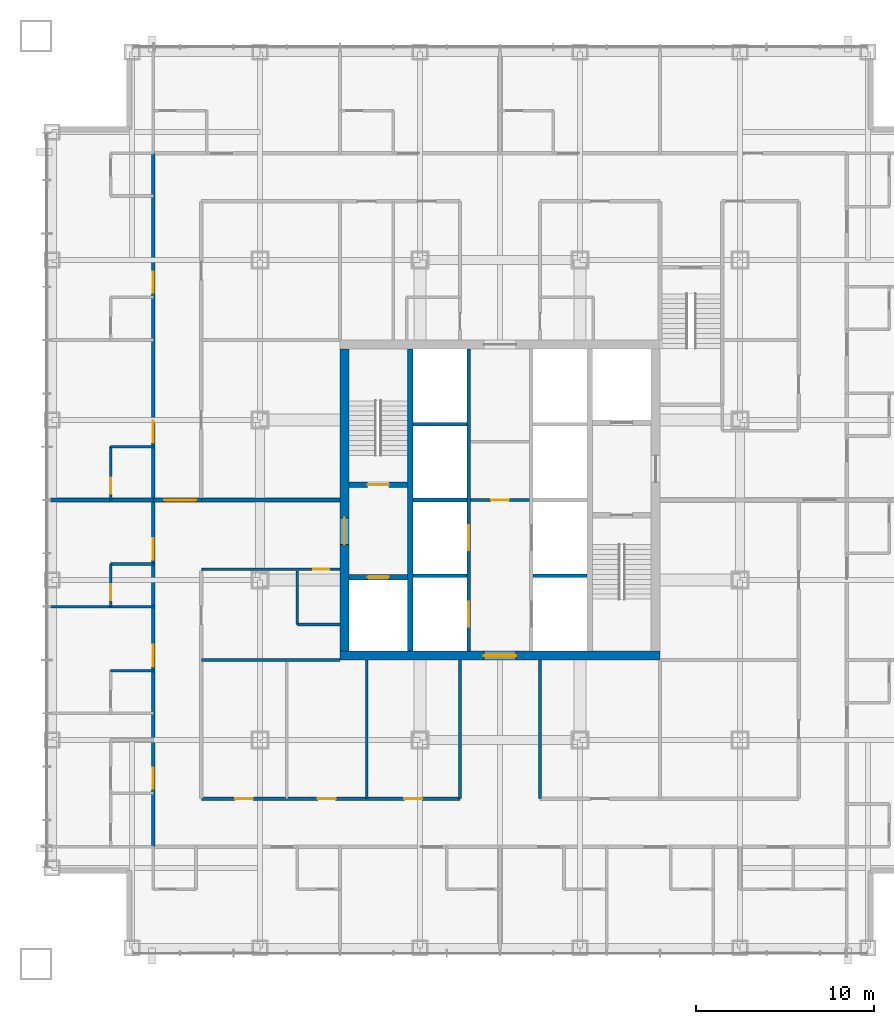
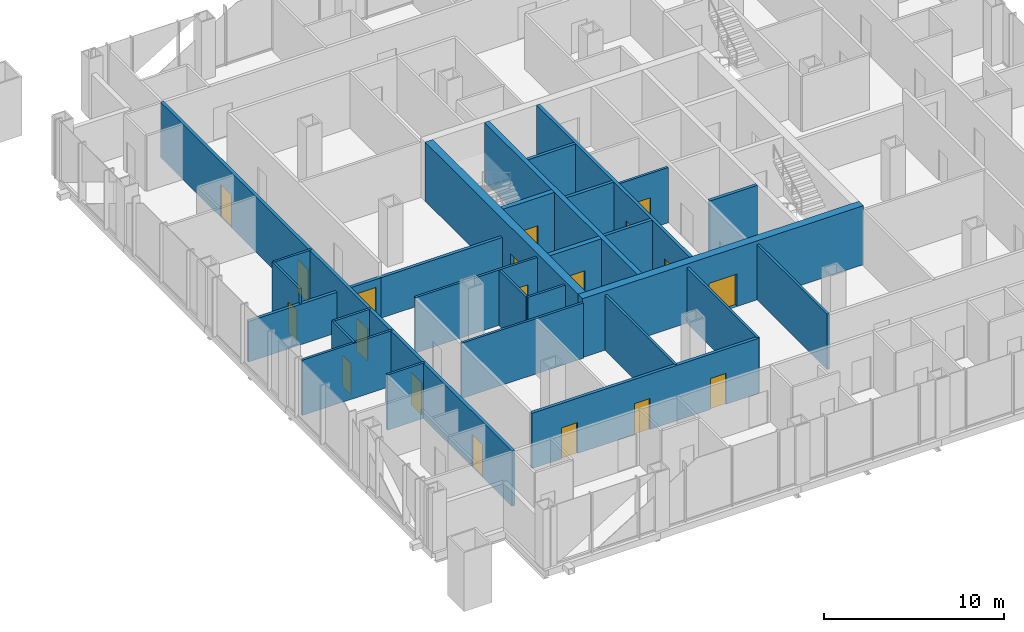
# One storey, part 8 of 13: 29 walls, 19 doors, 19 openings.
"""IFC4 building model written with IfcOpenShell, lengths in metres."""

from ifc_helpers import new_model, si_unit, direction, frame, frame_2d, origin, place, context, subcontext, project, spatial, rectangle, extrude, material, layer, layer_set, type_object, element, fill, save


model = new_model("IFC4")

# Units and contexts
model_context = context("Model", 3, precision=1e-05, world=origin(), true_north=direction((0.0, 1.0)))
body_context = subcontext(model_context, "Body", "Model", "MODEL_VIEW")
ifc_project = project(units=[si_unit("LENGTHUNIT", "METRE"), si_unit("AREAUNIT", "SQUARE_METRE"), si_unit("VOLUMEUNIT", "CUBIC_METRE"), si_unit("PLANEANGLEUNIT", "RADIAN"), si_unit("MASSUNIT", "GRAM", prefix="KILO")], contexts=[model_context])

# Site, building, storey
site_placement = place(None, origin())
site = spatial("IfcSite", under=ifc_project, at=site_placement, CompositionType="ELEMENT")
building_placement = place(site_placement, origin())
building = spatial("IfcBuilding", under=site, at=building_placement, Name="Malebo Sky Hospital", CompositionType="ELEMENT")
storey_placement = place(building_placement, frame((0.0, 0.0, 35.0)))
storey = spatial("IfcBuildingStorey", under=building, at=storey_placement, Name="L07", CompositionType="ELEMENT", Elevation=35.0)

# Wall, openings, doors
ifc_material_1 = material(Name="Concrete C80/95", Category="concrete")
ifc_layer_1 = layer(ifc_material_1, 0.199951171875)
ifc_layer_set_1 = layer_set([ifc_layer_1], Name="CORE INNER WALL 200")
wall_type_1 = type_object("IfcWallType", Name="CORE INNER WALL 200", PredefinedType="SHEAR", material=ifc_layer_set_1)
wall_1_placement = place(storey_placement, frame((58.25, 53.5, 0.0), z_axis=(0.0, 0.0, 1.0), x_axis=(0.0, 1.0, 0.0)))
wall_1 = element("IfcWall", 1, at=wall_1_placement, inside=storey, type_object=wall_type_1, Name="Core wall LW L07", PredefinedType="SHEAR", context=body_context, shape_type="SweptSolid", body=[
    extrude(rectangle(XDim=17.0, YDim=0.199951171875, at=frame_2d((8.5, 0.0))), origin(), (0.0, 0.0, 1.0), 4.0),
])
opening_1_placement = place(wall_1_placement, frame((1.375, 0.0, 0.0)))
opening_1 = element("IfcOpeningElement", 2, at=opening_1_placement, cuts=wall_1, Name="Opening LD1", PredefinedType="OPENING", context=body_context, shape_type="SweptSolid", body=[
    extrude(rectangle(XDim=1.39990234375, YDim=2.199951171875, at=frame_2d((0.699951171875, 1.10009765625))), frame((0.0, 0.10986328125, 0.0), z_axis=(0.0, -1.0, 0.0), x_axis=(1.0, 0.0, 0.0)), (0.0, 0.0, 1.0), 0.219970703125),
])
opening_2_placement = place(wall_1_placement, frame((5.675048828125, 0.0, 0.0)))
opening_2 = element("IfcOpeningElement", 3, at=opening_2_placement, cuts=wall_1, Name="Opening LD1", PredefinedType="OPENING", context=body_context, shape_type="SweptSolid", body=[
    extrude(rectangle(XDim=1.39990234375, YDim=2.199951171875, at=frame_2d((0.699951171875, 1.10009765625))), frame((0.0, 0.10986328125, 0.0), z_axis=(0.0, -1.0, 0.0), x_axis=(1.0, 0.0, 0.0)), (0.0, 0.0, 1.0), 0.219970703125),
])
ifc_material_2 = material(Name="Stainless steel sliding landing door", Category="steel")
door_type_1 = type_object("IfcDoorType", Name="LIFT LANDING DOOR 1400", OperationType="SLIDING_TO_LEFT", PredefinedType="DOOR", material=ifc_material_2)
door_1_placement = place(opening_1_placement, origin())
door_1 = element("IfcDoor", 4, at=door_1_placement, inside=storey, type_object=door_type_1, Name="Lift W1 landing door", OperationType="SLIDING_TO_LEFT", OverallHeight=2.199951171875, OverallWidth=1.39990234375, PredefinedType="DOOR", context=body_context, shape_type="SweptSolid", body=[
    extrude(rectangle(XDim=1.39990234375, YDim=2.199951171875, at=frame_2d((0.699951171875, 1.10009765625))), frame((0.0, 0.02490234375, 0.0), z_axis=(0.0, -1.0, 0.0), x_axis=(1.0, 0.0, 0.0)), (0.0, 0.0, 1.0), 0.050048828125),
])
fill(opening_1, door_1)
door_2_placement = place(opening_2_placement, origin())
door_2 = element("IfcDoor", 5, at=door_2_placement, inside=storey, type_object=door_type_1, Name="Lift W2 landing door", OperationType="SLIDING_TO_LEFT", OverallHeight=2.199951171875, OverallWidth=1.39990234375, PredefinedType="DOOR", context=body_context, shape_type="SweptSolid", body=[
    extrude(rectangle(XDim=1.39990234375, YDim=2.199951171875, at=frame_2d((0.699951171875, 1.10009765625))), frame((0.0, 0.02490234375, 0.0), z_axis=(0.0, -1.0, 0.0), x_axis=(1.0, 0.0, 0.0)), (0.0, 0.0, 1.0), 0.050048828125),
])
fill(opening_2, door_2)

# Walls
for number, where, z_axis, x_axis, name in (
    (6, (55.10009765625, 57.75, 0.0), (0.0, 0.0, 1.0), (1.0, 0.0, 0.0), "Core wall SW0 L07"),
    (7, (61.85009765625, 57.75, 0.0), (0.0, 0.0, 1.0), (1.0, 0.0, 0.0), "Core wall SE0 L07"),
    (8, (55.10009765625, 62.0, 0.0), (0.0, 0.0, 1.0), (1.0, 0.0, 0.0), "Core wall SW1 L07"),
    (9, (55.10009765625, 66.25, 0.0), (0.0, 0.0, 1.0), (1.0, 0.0, 0.0), "Core wall SW2 L07"),
):
    element("IfcWall", number, at=place(storey_placement, frame(where, z_axis=z_axis, x_axis=x_axis)), inside=storey, type_object=wall_type_1, Name=name, PredefinedType="SHEAR", context=body_context, shape_type="SweptSolid", body=[
        extrude(rectangle(XDim=3.0498046875, YDim=0.199951171875, at=frame_2d((1.52490234375, 0.0))), origin(), (0.0, 0.0, 1.0), 4.0),
    ])
ifc_layer_2 = layer(ifc_material_1, 0.300048828125)
ifc_layer_set_2 = layer_set([ifc_layer_2], Name="CORE INNER WALL 300")
wall_type_2 = type_object("IfcWallType", Name="CORE INNER WALL 300", PredefinedType="SHEAR", material=ifc_layer_set_2)
wall_2_placement = place(storey_placement, frame((54.949951171875, 53.5, 0.0), z_axis=(0.0, 0.0, 1.0), x_axis=(0.0, 1.0, 0.0)))
element("IfcWall", 10, at=wall_2_placement, inside=storey, type_object=wall_type_2, Name="Core wall XW L07", PredefinedType="SHEAR", context=body_context, shape_type="SweptSolid", body=[
    extrude(rectangle(XDim=17.0, YDim=0.300048828125, at=frame_2d((8.5, 0.0))), origin(), (0.0, 0.0, 1.0), 4.0),
])

# Wall, opening, door
wall_3_placement = place(storey_placement, frame((51.5, 62.85009765625, 0.0), z_axis=(0.0, 0.0, 1.0), x_axis=(1.0, 0.0, 0.0)))
wall_3 = element("IfcWall", 11, at=wall_3_placement, inside=storey, type_object=wall_type_2, Name="Core wall W1 L07", PredefinedType="SHEAR", context=body_context, shape_type="SweptSolid", body=[
    extrude(rectangle(XDim=3.300048828125, YDim=0.300048828125, at=frame_2d((1.64990234375, 0.0))), origin(), (0.0, 0.0, 1.0), 4.0),
])
opening_3_placement = place(wall_3_placement, frame((1.050048828125, 0.0, 0.0)))
opening_3 = element("IfcOpeningElement", 12, at=opening_3_placement, cuts=wall_3, Name="Opening D08", PredefinedType="OPENING", context=body_context, shape_type="SweptSolid", body=[
    extrude(rectangle(XDim=1.199951171875, YDim=2.10009765625, at=frame_2d((0.60009765625, 1.050048828125))), frame((0.0, 0.159912109375, 0.0), z_axis=(0.0, -1.0, 0.0), x_axis=(1.0, 0.0, 0.0)), (0.0, 0.0, 1.0), 0.320068359375),
])
ifc_material_3 = material(Name="Hardwood-faced door leaf in steel frame", Category="steel")
door_type_2 = type_object("IfcDoorType", Name="STAIR DOOR 1200", OperationType="SINGLE_SWING_LEFT", PredefinedType="DOOR", material=ifc_material_3)
door_3_placement = place(opening_3_placement, origin())
door_3 = element("IfcDoor", 13, at=door_3_placement, inside=storey, type_object=door_type_2, Name="Stair S1 door", OperationType="SINGLE_SWING_LEFT", OverallHeight=2.10009765625, OverallWidth=1.199951171875, PredefinedType="DOOR", context=body_context, shape_type="SweptSolid", body=[
    extrude(rectangle(XDim=1.199951171875, YDim=2.10009765625, at=frame_2d((0.60009765625, 1.050048828125))), frame((0.0, 0.02490234375, 0.0), z_axis=(0.0, -1.0, 0.0), x_axis=(1.0, 0.0, 0.0)), (0.0, 0.0, 1.0), 0.050048828125),
])
fill(opening_3, door_3)

wall_4_placement = place(storey_placement, frame((51.5, 57.64990234375, 0.0), z_axis=(0.0, 0.0, 1.0), x_axis=(1.0, 0.0, 0.0)))
wall_4 = element("IfcWall", 14, at=wall_4_placement, inside=storey, type_object=wall_type_2, Name="Core wall W2 L07", PredefinedType="SHEAR", context=body_context, shape_type="SweptSolid", body=[
    extrude(rectangle(XDim=3.300048828125, YDim=0.300048828125, at=frame_2d((1.64990234375, 0.0))), origin(), (0.0, 0.0, 1.0), 4.0),
])
opening_4_placement = place(wall_4_placement, frame((1.050048828125, 0.0, 0.0)))
opening_4 = element("IfcOpeningElement", 15, at=opening_4_placement, cuts=wall_4, Name="Opening LD2", PredefinedType="OPENING", context=body_context, shape_type="SweptSolid", body=[
    extrude(rectangle(XDim=1.199951171875, YDim=2.199951171875, at=frame_2d((0.60009765625, 1.10009765625))), frame((0.0, 0.159912109375, 0.0), z_axis=(0.0, -1.0, 0.0), x_axis=(1.0, 0.0, 0.0)), (0.0, 0.0, 1.0), 0.320068359375),
])
door_type_3 = type_object("IfcDoorType", Name="FIRE-FIGHTING LIFT LANDING DOOR 1200", OperationType="SLIDING_TO_LEFT", PredefinedType="DOOR", material=ifc_material_2)
door_4_placement = place(opening_4_placement, origin())
door_4 = element("IfcDoor", 16, at=door_4_placement, inside=storey, type_object=door_type_3, Name="Lift FL1 landing door", OperationType="SLIDING_TO_LEFT", OverallHeight=2.199951171875, OverallWidth=1.199951171875, PredefinedType="DOOR", context=body_context, shape_type="SweptSolid", body=[
    extrude(rectangle(XDim=1.199951171875, YDim=2.199951171875, at=frame_2d((0.60009765625, 1.10009765625))), frame((0.0, 0.02490234375, 0.0), z_axis=(0.0, -1.0, 0.0), x_axis=(1.0, 0.0, 0.0)), (0.0, 0.0, 1.0), 0.050048828125),
])
fill(opening_4, door_4)

ifc_layer_3 = layer(ifc_material_1, 0.5)
ifc_layer_set_3 = layer_set([ifc_layer_3], Name="CORE WALL 500")
wall_type_3 = type_object("IfcWallType", Name="CORE WALL 500", PredefinedType="SHEAR", material=ifc_layer_set_3)
wall_5_placement = place(storey_placement, frame((51.0, 53.25, 0.0), z_axis=(0.0, 0.0, 1.0), x_axis=(1.0, 0.0, 0.0)))
wall_5 = element("IfcWall", 17, at=wall_5_placement, inside=storey, type_object=wall_type_3, Name="Core wall S L07", PredefinedType="SHEAR", context=body_context, shape_type="SweptSolid", body=[
    extrude(rectangle(XDim=18.0, YDim=0.5, at=frame_2d((9.0, 0.0))), origin(), (0.0, 0.0, 1.0), 4.0),
])
opening_5_placement = place(wall_5_placement, frame((8.10009765625, 0.0, 0.0)))
opening_5 = element("IfcOpeningElement", 18, at=opening_5_placement, cuts=wall_5, Name="Opening D06", PredefinedType="OPENING", context=body_context, shape_type="SweptSolid", body=[
    extrude(rectangle(XDim=1.800048828125, YDim=2.199951171875, at=frame_2d((0.89990234375, 1.10009765625))), frame((0.0, 0.260009765625, 0.0), z_axis=(0.0, -1.0, 0.0), x_axis=(1.0, 0.0, 0.0)), (0.0, 0.0, 1.0), 0.52001953125),
])
door_type_4 = type_object("IfcDoorType", Name="LOBBY DOOR PAIR 1800", OperationType="DOUBLE_DOOR_SINGLE_SWING", PredefinedType="DOOR", material=ifc_material_3)
door_5_placement = place(opening_5_placement, origin())
door_5 = element("IfcDoor", 19, at=door_5_placement, inside=storey, type_object=door_type_4, Name="Lift lobby door south", OperationType="DOUBLE_DOOR_SINGLE_SWING", OverallHeight=2.199951171875, OverallWidth=1.800048828125, PredefinedType="DOOR", context=body_context, shape_type="SweptSolid", body=[
    extrude(rectangle(XDim=1.800048828125, YDim=2.199951171875, at=frame_2d((0.89990234375, 1.10009765625))), frame((0.0, 0.02490234375, 0.0), z_axis=(0.0, -1.0, 0.0), x_axis=(1.0, 0.0, 0.0)), (0.0, 0.0, 1.0), 0.050048828125),
])
fill(opening_5, door_5)

wall_6_placement = place(storey_placement, frame((51.25, 53.5, 0.0), z_axis=(0.0, 0.0, 1.0), x_axis=(0.0, 1.0, 0.0)))
wall_6 = element("IfcWall", 20, at=wall_6_placement, inside=storey, type_object=wall_type_3, Name="Core wall W L07", PredefinedType="SHEAR", context=body_context, shape_type="SweptSolid", body=[
    extrude(rectangle(XDim=17.0, YDim=0.5, at=frame_2d((8.5, 0.0))), origin(), (0.0, 0.0, 1.0), 4.0),
])
opening_6_placement = place(wall_6_placement, frame((6.0, 0.0, 0.0)))
opening_6 = element("IfcOpeningElement", 21, at=opening_6_placement, cuts=wall_6, Name="Opening D07", PredefinedType="OPENING", context=body_context, shape_type="SweptSolid", body=[
    extrude(rectangle(XDim=1.5, YDim=2.199951171875, at=frame_2d((0.75, 1.10009765625))), frame((0.0, 0.260009765625, 0.0), z_axis=(0.0, -1.0, 0.0), x_axis=(1.0, 0.0, 0.0)), (0.0, 0.0, 1.0), 0.52001953125),
])
door_type_5 = type_object("IfcDoorType", Name="FIRE-FIGHTING LOBBY DOOR PAIR 1500", OperationType="DOUBLE_DOOR_SINGLE_SWING", PredefinedType="DOOR", material=ifc_material_3)
door_6_placement = place(opening_6_placement, origin())
door_6 = element("IfcDoor", 22, at=door_6_placement, inside=storey, type_object=door_type_5, Name="Fire-fighting lobby door west", OperationType="DOUBLE_DOOR_SINGLE_SWING", OverallHeight=2.199951171875, OverallWidth=1.5, PredefinedType="DOOR", context=body_context, shape_type="SweptSolid", body=[
    extrude(rectangle(XDim=1.5, YDim=2.199951171875, at=frame_2d((0.75, 1.10009765625))), frame((0.0, 0.02490234375, 0.0), z_axis=(0.0, -1.0, 0.0), x_axis=(1.0, 0.0, 0.0)), (0.0, 0.0, 1.0), 0.050048828125),
])
fill(opening_6, door_6)

# Wall, openings, doors
ifc_material_4 = material(Name="Gypsum board on steel studs", Category="steel")
ifc_layer_4 = layer(ifc_material_4, 0.199951171875)
ifc_layer_set_4 = layer_set([ifc_layer_4], Name="CORRIDOR WALL 200")
wall_type_4 = type_object("IfcWallType", Name="CORRIDOR WALL 200", PredefinedType="PARTITIONING", material=ifc_layer_set_4)
wall_7_placement = place(storey_placement, frame((40.5, 42.5, 0.0), z_axis=(0.0, 0.0, 1.0), x_axis=(0.0, 1.0, 0.0)))
wall_7 = element("IfcWall", 23, at=wall_7_placement, inside=storey, type_object=wall_type_4, Name="Corridor Wall 200 WCO", PredefinedType="PARTITIONING", context=body_context, shape_type="SweptSolid", body=[
    extrude(rectangle(XDim=39.0, YDim=0.199951171875, at=frame_2d((19.5, 0.0))), origin(), (0.0, 0.0, 1.0), 3.75),
])
opening_7_placement = place(wall_7_placement, frame((3.25, 0.0, 0.0)))
opening_7 = element("IfcOpeningElement", 24, at=opening_7_placement, cuts=wall_7, Name="Opening D18", PredefinedType="OPENING", context=body_context, shape_type="SweptSolid", body=[
    extrude(rectangle(XDim=1.199951171875, YDim=2.199951171875, at=frame_2d((0.60009765625, 1.10009765625))), frame((0.0, 0.10986328125, 0.0), z_axis=(0.0, -1.0, 0.0), x_axis=(1.0, 0.0, 0.0)), (0.0, 0.0, 1.0), 0.219970703125),
])
opening_8_placement = place(wall_7_placement, frame((10.14990234375, 0.0, 0.0)))
opening_8 = element("IfcOpeningElement", 25, at=opening_8_placement, cuts=wall_7, Name="Opening D01", PredefinedType="OPENING", context=body_context, shape_type="SweptSolid", body=[
    extrude(rectangle(XDim=1.199951171875, YDim=2.199951171875, at=frame_2d((0.60009765625, 1.10009765625))), frame((0.0, 0.10986328125, 0.0), z_axis=(0.0, -1.0, 0.0), x_axis=(1.0, 0.0, 0.0)), (0.0, 0.0, 1.0), 0.219970703125),
])
opening_9_placement = place(wall_7_placement, frame((16.14990234375, 0.0, 0.0)))
opening_9 = element("IfcOpeningElement", 26, at=opening_9_placement, cuts=wall_7, Name="Opening D01", PredefinedType="OPENING", context=body_context, shape_type="SweptSolid", body=[
    extrude(rectangle(XDim=1.199951171875, YDim=2.199951171875, at=frame_2d((0.60009765625, 1.10009765625))), frame((0.0, 0.10986328125, 0.0), z_axis=(0.0, -1.0, 0.0), x_axis=(1.0, 0.0, 0.0)), (0.0, 0.0, 1.0), 0.219970703125),
])
opening_10_placement = place(wall_7_placement, frame((22.75, 0.0, 0.0)))
opening_10 = element("IfcOpeningElement", 27, at=opening_10_placement, cuts=wall_7, Name="Opening D01", PredefinedType="OPENING", context=body_context, shape_type="SweptSolid", body=[
    extrude(rectangle(XDim=1.199951171875, YDim=2.199951171875, at=frame_2d((0.60009765625, 1.10009765625))), frame((0.0, 0.10986328125, 0.0), z_axis=(0.0, -1.0, 0.0), x_axis=(1.0, 0.0, 0.0)), (0.0, 0.0, 1.0), 0.219970703125),
])
opening_11_placement = place(wall_7_placement, frame((31.14990234375, 0.0, 0.0)))
opening_11 = element("IfcOpeningElement", 28, at=opening_11_placement, cuts=wall_7, Name="Opening D01", PredefinedType="OPENING", context=body_context, shape_type="SweptSolid", body=[
    extrude(rectangle(XDim=1.199951171875, YDim=2.199951171875, at=frame_2d((0.60009765625, 1.10009765625))), frame((0.0, 0.10986328125, 0.0), z_axis=(0.0, -1.0, 0.0), x_axis=(1.0, 0.0, 0.0)), (0.0, 0.0, 1.0), 0.219970703125),
])
door_type_6 = type_object("IfcDoorType", Name="ANTEROOM DOOR 1200", OperationType="SINGLE_SWING_LEFT", PredefinedType="DOOR", material=ifc_material_3)
door_7_placement = place(opening_7_placement, origin())
door_7 = element("IfcDoor", 29, at=door_7_placement, inside=storey, type_object=door_type_6, Name="Anteroom door", OperationType="SINGLE_SWING_LEFT", OverallHeight=2.199951171875, OverallWidth=1.199951171875, PredefinedType="DOOR", context=body_context, shape_type="SweptSolid", body=[
    extrude(rectangle(XDim=1.199951171875, YDim=2.199951171875, at=frame_2d((0.60009765625, 1.10009765625))), frame((0.0, 0.02490234375, 0.0), z_axis=(0.0, -1.0, 0.0), x_axis=(1.0, 0.0, 0.0)), (0.0, 0.0, 1.0), 0.050048828125),
])
fill(opening_7, door_7)
door_type_7 = type_object("IfcDoorType", Name="BED DOOR 1200", OperationType="SINGLE_SWING_LEFT", PredefinedType="DOOR", material=ifc_material_3)
door_8_placement = place(opening_8_placement, origin())
door_8 = element("IfcDoor", 30, at=door_8_placement, inside=storey, type_object=door_type_7, Name="Single bed room door", OperationType="SINGLE_SWING_LEFT", OverallHeight=2.199951171875, OverallWidth=1.199951171875, PredefinedType="DOOR", context=body_context, shape_type="SweptSolid", body=[
    extrude(rectangle(XDim=1.199951171875, YDim=2.199951171875, at=frame_2d((0.60009765625, 1.10009765625))), frame((0.0, 0.02490234375, 0.0), z_axis=(0.0, -1.0, 0.0), x_axis=(1.0, 0.0, 0.0)), (0.0, 0.0, 1.0), 0.050048828125),
])
fill(opening_8, door_8)
door_9_placement = place(opening_9_placement, origin())
door_9 = element("IfcDoor", 31, at=door_9_placement, inside=storey, type_object=door_type_7, Name="Two-bed room door", OperationType="SINGLE_SWING_LEFT", OverallHeight=2.199951171875, OverallWidth=1.199951171875, PredefinedType="DOOR", context=body_context, shape_type="SweptSolid", body=[
    extrude(rectangle(XDim=1.199951171875, YDim=2.199951171875, at=frame_2d((0.60009765625, 1.10009765625))), frame((0.0, 0.02490234375, 0.0), z_axis=(0.0, -1.0, 0.0), x_axis=(1.0, 0.0, 0.0)), (0.0, 0.0, 1.0), 0.050048828125),
])
fill(opening_9, door_9)
door_10_placement = place(opening_10_placement, origin())
door_10 = element("IfcDoor", 32, at=door_10_placement, inside=storey, type_object=door_type_7, Name="Two-bed room door", OperationType="SINGLE_SWING_LEFT", OverallHeight=2.199951171875, OverallWidth=1.199951171875, PredefinedType="DOOR", context=body_context, shape_type="SweptSolid", body=[
    extrude(rectangle(XDim=1.199951171875, YDim=2.199951171875, at=frame_2d((0.60009765625, 1.10009765625))), frame((0.0, 0.02490234375, 0.0), z_axis=(0.0, -1.0, 0.0), x_axis=(1.0, 0.0, 0.0)), (0.0, 0.0, 1.0), 0.050048828125),
])
fill(opening_10, door_10)
door_11_placement = place(opening_11_placement, origin())
door_11 = element("IfcDoor", 33, at=door_11_placement, inside=storey, type_object=door_type_7, Name="Four-bed bay door", OperationType="SINGLE_SWING_LEFT", OverallHeight=2.199951171875, OverallWidth=1.199951171875, PredefinedType="DOOR", context=body_context, shape_type="SweptSolid", body=[
    extrude(rectangle(XDim=1.199951171875, YDim=2.199951171875, at=frame_2d((0.60009765625, 1.10009765625))), frame((0.0, 0.02490234375, 0.0), z_axis=(0.0, -1.0, 0.0), x_axis=(1.0, 0.0, 0.0)), (0.0, 0.0, 1.0), 0.050048828125),
])
fill(opening_11, door_11)

wall_8_placement = place(storey_placement, frame((57.75, 45.199951171875, 0.0), z_axis=(0.0, 0.0, 1.0), x_axis=(-1.0, 0.0, 0.0)))
wall_8 = element("IfcWall", 34, at=wall_8_placement, inside=storey, type_object=wall_type_4, Name="Corridor Wall 200 SCI2", PredefinedType="PARTITIONING", context=body_context, shape_type="SweptSolid", body=[
    extrude(rectangle(XDim=14.550048828125, YDim=0.199951171875, at=frame_2d((7.27490234375, 0.0))), origin(), (0.0, 0.0, 1.0), 3.75),
])
opening_12_placement = place(wall_8_placement, frame((2.125, 0.0, 0.0)))
opening_12 = element("IfcOpeningElement", 35, at=opening_12_placement, cuts=wall_8, Name="Opening D03", PredefinedType="OPENING", context=body_context, shape_type="SweptSolid", body=[
    extrude(rectangle(XDim=1.0, YDim=2.10009765625, at=frame_2d((0.5, 1.050048828125))), frame((0.0, 0.10986328125, 0.0), z_axis=(0.0, -1.0, 0.0), x_axis=(1.0, 0.0, 0.0)), (0.0, 0.0, 1.0), 0.219970703125),
])
opening_13_placement = place(wall_8_placement, frame((7.0, 0.0, 0.0)))
opening_13 = element("IfcOpeningElement", 36, at=opening_13_placement, cuts=wall_8, Name="Opening D03", PredefinedType="OPENING", context=body_context, shape_type="SweptSolid", body=[
    extrude(rectangle(XDim=1.0, YDim=2.10009765625, at=frame_2d((0.5, 1.050048828125))), frame((0.0, 0.10986328125, 0.0), z_axis=(0.0, -1.0, 0.0), x_axis=(1.0, 0.0, 0.0)), (0.0, 0.0, 1.0), 0.219970703125),
])
opening_14_placement = place(wall_8_placement, frame((11.64990234375, 0.0, 0.0)))
opening_14 = element("IfcOpeningElement", 37, at=opening_14_placement, cuts=wall_8, Name="Opening D03", PredefinedType="OPENING", context=body_context, shape_type="SweptSolid", body=[
    extrude(rectangle(XDim=1.0, YDim=2.10009765625, at=frame_2d((0.5, 1.050048828125))), frame((0.0, 0.10986328125, 0.0), z_axis=(0.0, -1.0, 0.0), x_axis=(1.0, 0.0, 0.0)), (0.0, 0.0, 1.0), 0.219970703125),
])
door_type_8 = type_object("IfcDoorType", Name="ROOM DOOR 1000", OperationType="SINGLE_SWING_LEFT", PredefinedType="DOOR", material=ifc_material_3)
door_12_placement = place(opening_12_placement, origin())
door_12 = element("IfcDoor", 38, at=door_12_placement, inside=storey, type_object=door_type_8, Name="Discharge lounge door", OperationType="SINGLE_SWING_LEFT", OverallHeight=2.10009765625, OverallWidth=1.0, PredefinedType="DOOR", context=body_context, shape_type="SweptSolid", body=[
    extrude(rectangle(XDim=1.0, YDim=2.10009765625, at=frame_2d((0.5, 1.050048828125))), frame((0.0, 0.02490234375, 0.0), z_axis=(0.0, -1.0, 0.0), x_axis=(1.0, 0.0, 0.0)), (0.0, 0.0, 1.0), 0.050048828125),
])
fill(opening_12, door_12)
door_13_placement = place(opening_13_placement, origin())
door_13 = element("IfcDoor", 39, at=door_13_placement, inside=storey, type_object=door_type_8, Name="Ward office door", OperationType="SINGLE_SWING_LEFT", OverallHeight=2.10009765625, OverallWidth=1.0, PredefinedType="DOOR", context=body_context, shape_type="SweptSolid", body=[
    extrude(rectangle(XDim=1.0, YDim=2.10009765625, at=frame_2d((0.5, 1.050048828125))), frame((0.0, 0.02490234375, 0.0), z_axis=(0.0, -1.0, 0.0), x_axis=(1.0, 0.0, 0.0)), (0.0, 0.0, 1.0), 0.050048828125),
])
fill(opening_13, door_13)
door_14_placement = place(opening_14_placement, origin())
door_14 = element("IfcDoor", 40, at=door_14_placement, inside=storey, type_object=door_type_8, Name="Dirty utility room door", OperationType="SINGLE_SWING_RIGHT", OverallHeight=2.10009765625, OverallWidth=1.0, PredefinedType="DOOR", context=body_context, shape_type="SweptSolid", body=[
    extrude(rectangle(XDim=1.0, YDim=2.10009765625, at=frame_2d((0.5, 1.050048828125))), frame((0.0, 0.02490234375, 0.0), z_axis=(0.0, -1.0, 0.0), x_axis=(1.0, 0.0, 0.0)), (0.0, 0.0, 1.0), 0.050048828125),
])
fill(opening_14, door_14)

# Walls
ifc_layer_5 = layer(ifc_material_4, 0.14990234375)
ifc_layer_set_5 = layer_set([ifc_layer_5], Name="PARTITION 150")
wall_type_5 = type_object("IfcWallType", Name="PARTITION 150", PredefinedType="PARTITIONING", material=ifc_layer_set_5)
wall_9_placement = place(storey_placement, frame((40.5, 56.0, 0.0), z_axis=(0.0, 0.0, 1.0), x_axis=(-1.0, 0.0, 0.0)))
element("IfcWall", 41, at=wall_9_placement, inside=storey, type_object=wall_type_5, Name="Partition 150 WP-6.0", PredefinedType="PARTITIONING", context=body_context, shape_type="SweptSolid", body=[
    extrude(rectangle(XDim=5.77490234375, YDim=0.14990234375, at=frame_2d((2.887451171875, 0.0))), origin(), (0.0, 0.0, 1.0), 3.75),
])
wall_10_placement = place(storey_placement, frame((40.5, 52.39990234375, 0.0), z_axis=(0.0, 0.0, 1.0), x_axis=(-1.0, 0.0, 0.0)))
element("IfcWall", 42, at=wall_10_placement, inside=storey, type_object=wall_type_5, Name="Partition 150 WE1S", PredefinedType="PARTITIONING", context=body_context, shape_type="SweptSolid", body=[
    extrude(rectangle(XDim=2.39990234375, YDim=0.14990234375, at=frame_2d((1.199951171875, 0.0))), origin(), (0.0, 0.0, 1.0), 3.75),
])

# Wall, opening, door
wall_11_placement = place(storey_placement, frame((38.10009765625, 56.0, 0.0), z_axis=(0.0, 0.0, 1.0), x_axis=(0.0, 1.0, 0.0)))
wall_11 = element("IfcWall", 43, at=wall_11_placement, inside=storey, type_object=wall_type_5, Name="Partition 150 WE2F", PredefinedType="PARTITIONING", context=body_context, shape_type="SweptSolid", body=[
    extrude(rectangle(XDim=2.39990234375, YDim=0.14990234375, at=frame_2d((1.199951171875, 0.0))), origin(), (0.0, 0.0, 1.0), 3.75),
])
opening_15_placement = place(wall_11_placement, frame((0.35009765625, 0.0, 0.0)))
opening_15 = element("IfcOpeningElement", 44, at=opening_15_placement, cuts=wall_11, Name="Opening D02", PredefinedType="OPENING", context=body_context, shape_type="SweptSolid", body=[
    extrude(rectangle(XDim=0.89990234375, YDim=2.10009765625, at=frame_2d((0.449951171875, 1.050048828125))), frame((0.0, 0.0849609375, 0.0), z_axis=(0.0, -1.0, 0.0), x_axis=(1.0, 0.0, 0.0)), (0.0, 0.0, 1.0), 0.169921875),
])
door_type_9 = type_object("IfcDoorType", Name="EN-SUITE DOOR 900", OperationType="SINGLE_SWING_LEFT", PredefinedType="DOOR", material=ifc_material_3)
door_15_placement = place(opening_15_placement, origin())
door_15 = element("IfcDoor", 45, at=door_15_placement, inside=storey, type_object=door_type_9, Name="En-suite door", OperationType="SINGLE_SWING_LEFT", OverallHeight=2.10009765625, OverallWidth=0.89990234375, PredefinedType="DOOR", context=body_context, shape_type="SweptSolid", body=[
    extrude(rectangle(XDim=0.89990234375, YDim=2.10009765625, at=frame_2d((0.449951171875, 1.050048828125))), frame((0.0, 0.02490234375, 0.0), z_axis=(0.0, -1.0, 0.0), x_axis=(1.0, 0.0, 0.0)), (0.0, 0.0, 1.0), 0.050048828125),
])
fill(opening_15, door_15)

# Wall
wall_12_placement = place(storey_placement, frame((40.5, 58.39990234375, 0.0), z_axis=(0.0, 0.0, 1.0), x_axis=(-1.0, 0.0, 0.0)))
element("IfcWall", 46, at=wall_12_placement, inside=storey, type_object=wall_type_5, Name="Partition 150 WE2S", PredefinedType="PARTITIONING", context=body_context, shape_type="SweptSolid", body=[
    extrude(rectangle(XDim=2.39990234375, YDim=0.14990234375, at=frame_2d((1.199951171875, 0.0))), origin(), (0.0, 0.0, 1.0), 3.75),
])

# Wall, opening, door
wall_13_placement = place(storey_placement, frame((38.10009765625, 62.0, 0.0), z_axis=(0.0, 0.0, 1.0), x_axis=(0.0, 1.0, 0.0)))
wall_13 = element("IfcWall", 47, at=wall_13_placement, inside=storey, type_object=wall_type_5, Name="Partition 150 WE3F", PredefinedType="PARTITIONING", context=body_context, shape_type="SweptSolid", body=[
    extrude(rectangle(XDim=3.0, YDim=0.14990234375, at=frame_2d((1.5, 0.0))), origin(), (0.0, 0.0, 1.0), 3.75),
])
opening_16_placement = place(wall_13_placement, frame((0.35009765625, 0.0, 0.0)))
opening_16 = element("IfcOpeningElement", 48, at=opening_16_placement, cuts=wall_13, Name="Opening D02", PredefinedType="OPENING", context=body_context, shape_type="SweptSolid", body=[
    extrude(rectangle(XDim=0.89990234375, YDim=2.10009765625, at=frame_2d((0.449951171875, 1.050048828125))), frame((0.0, 0.0849609375, 0.0), z_axis=(0.0, -1.0, 0.0), x_axis=(1.0, 0.0, 0.0)), (0.0, 0.0, 1.0), 0.169921875),
])
door_16_placement = place(opening_16_placement, origin())
door_16 = element("IfcDoor", 49, at=door_16_placement, inside=storey, type_object=door_type_9, Name="En-suite door", OperationType="SINGLE_SWING_LEFT", OverallHeight=2.10009765625, OverallWidth=0.89990234375, PredefinedType="DOOR", context=body_context, shape_type="SweptSolid", body=[
    extrude(rectangle(XDim=0.89990234375, YDim=2.10009765625, at=frame_2d((0.449951171875, 1.050048828125))), frame((0.0, 0.02490234375, 0.0), z_axis=(0.0, -1.0, 0.0), x_axis=(1.0, 0.0, 0.0)), (0.0, 0.0, 1.0), 0.050048828125),
])
fill(opening_16, door_16)

# Walls
wall_14_placement = place(storey_placement, frame((40.5, 65.0, 0.0), z_axis=(0.0, 0.0, 1.0), x_axis=(-1.0, 0.0, 0.0)))
element("IfcWall", 50, at=wall_14_placement, inside=storey, type_object=wall_type_5, Name="Partition 150 WE3S", PredefinedType="PARTITIONING", context=body_context, shape_type="SweptSolid", body=[
    extrude(rectangle(XDim=2.39990234375, YDim=0.14990234375, at=frame_2d((1.199951171875, 0.0))), origin(), (0.0, 0.0, 1.0), 3.75),
])
wall_15_placement = place(storey_placement, frame((51.0, 53.0, 0.0), z_axis=(0.0, 0.0, 1.0), x_axis=(-1.0, 0.0, 0.0)))
element("IfcWall", 51, at=wall_15_placement, inside=storey, type_object=wall_type_5, Name="Partition 150 WSP0", PredefinedType="PARTITIONING", context=body_context, shape_type="SweptSolid", body=[
    extrude(rectangle(XDim=7.800048828125, YDim=0.14990234375, at=frame_2d((3.89990234375, 0.0))), origin(), (0.0, 0.0, 1.0), 3.75),
])

# Wall, opening, door
wall_16_placement = place(storey_placement, frame((51.0, 58.10009765625, 0.0), z_axis=(0.0, 0.0, 1.0), x_axis=(-1.0, 0.0, 0.0)))
wall_16 = element("IfcWall", 52, at=wall_16_placement, inside=storey, type_object=wall_type_5, Name="Partition 150 WSPA", PredefinedType="PARTITIONING", context=body_context, shape_type="SweptSolid", body=[
    extrude(rectangle(XDim=7.800048828125, YDim=0.14990234375, at=frame_2d((3.89990234375, 0.0))), origin(), (0.0, 0.0, 1.0), 3.75),
])
opening_17_placement = place(wall_16_placement, frame((0.60009765625, 0.0, 0.0)))
opening_17 = element("IfcOpeningElement", 53, at=opening_17_placement, cuts=wall_16, Name="Opening D04", PredefinedType="OPENING", context=body_context, shape_type="SweptSolid", body=[
    extrude(rectangle(XDim=0.89990234375, YDim=2.10009765625, at=frame_2d((0.449951171875, 1.050048828125))), frame((0.0, 0.0849609375, 0.0), z_axis=(0.0, -1.0, 0.0), x_axis=(1.0, 0.0, 0.0)), (0.0, 0.0, 1.0), 0.169921875),
])
door_type_10 = type_object("IfcDoorType", Name="ROOM DOOR 900", OperationType="SINGLE_SWING_LEFT", PredefinedType="DOOR", material=ifc_material_3)
door_17_placement = place(opening_17_placement, origin())
door_17 = element("IfcDoor", 54, at=door_17_placement, inside=storey, type_object=door_type_10, Name="Cleaner's room door", OperationType="SINGLE_SWING_LEFT", OverallHeight=2.10009765625, OverallWidth=0.89990234375, PredefinedType="DOOR", context=body_context, shape_type="SweptSolid", body=[
    extrude(rectangle(XDim=0.89990234375, YDim=2.10009765625, at=frame_2d((0.449951171875, 1.050048828125))), frame((0.0, 0.02490234375, 0.0), z_axis=(0.0, -1.0, 0.0), x_axis=(1.0, 0.0, 0.0)), (0.0, 0.0, 1.0), 0.050048828125),
])
fill(opening_17, door_17)

# Walls
wall_17_placement = place(storey_placement, frame((48.60009765625, 55.0, 0.0), z_axis=(0.0, 0.0, 1.0), x_axis=(0.0, 1.0, 0.0)))
element("IfcWall", 55, at=wall_17_placement, inside=storey, type_object=wall_type_5, Name="Partition 150 WSX0", PredefinedType="PARTITIONING", context=body_context, shape_type="SweptSolid", body=[
    extrude(rectangle(XDim=3.0, YDim=0.14990234375, at=frame_2d((1.5, 0.0))), origin(), (0.0, 0.0, 1.0), 3.75),
])
wall_18_placement = place(storey_placement, frame((51.0, 55.0, 0.0), z_axis=(0.0, 0.0, 1.0), x_axis=(-1.0, 0.0, 0.0)))
element("IfcWall", 56, at=wall_18_placement, inside=storey, type_object=wall_type_5, Name="Partition 150 WSY0", PredefinedType="PARTITIONING", context=body_context, shape_type="SweptSolid", body=[
    extrude(rectangle(XDim=2.39990234375, YDim=0.14990234375, at=frame_2d((1.199951171875, 0.0))), origin(), (0.0, 0.0, 1.0), 3.75),
])
for number, where, z_axis, x_axis, name in (
    (57, (62.25, 53.0, 0.0), (0.0, 0.0, 1.0), (0.0, -1.0, 0.0), "Partition 150 SSPA"),
    (58, (57.75, 53.0, 0.0), (0.0, 0.0, 1.0), (0.0, -1.0, 0.0), "Partition 150 SSPB"),
    (59, (52.5, 53.0, 0.0), (0.0, 0.0, 1.0), (0.0, -1.0, 0.0), "Partition 150 SSP+7.5"),
):
    element("IfcWall", number, at=place(storey_placement, frame(where, z_axis=z_axis, x_axis=x_axis)), inside=storey, type_object=wall_type_5, Name=name, PredefinedType="PARTITIONING", context=body_context, shape_type="SweptSolid", body=[
        extrude(rectangle(XDim=7.800048828125, YDim=0.14990234375, at=frame_2d((3.89990234375, 0.0))), origin(), (0.0, 0.0, 1.0), 3.75),
    ])

# Wall, opening, door
wall_19_placement = place(storey_placement, frame((58.35009765625, 62.0, 0.0), z_axis=(0.0, 0.0, 1.0), x_axis=(1.0, 0.0, 0.0)))
wall_19 = element("IfcWall", 60, at=wall_19_placement, inside=storey, type_object=wall_type_5, Name="Partition 150 LBN", PredefinedType="PARTITIONING", context=body_context, shape_type="SweptSolid", body=[
    extrude(rectangle(XDim=3.2998046875, YDim=0.14990234375, at=frame_2d((1.64990234375, 0.0))), origin(), (0.0, 0.0, 1.0), 3.75),
])
opening_18_placement = place(wall_19_placement, frame((1.14990234375, 0.0, 0.0)))
opening_18 = element("IfcOpeningElement", 61, at=opening_18_placement, cuts=wall_19, Name="Opening D03", PredefinedType="OPENING", context=body_context, shape_type="SweptSolid", body=[
    extrude(rectangle(XDim=1.0, YDim=2.10009765625, at=frame_2d((0.5, 1.050048828125))), frame((0.0, 0.0849609375, 0.0), z_axis=(0.0, -1.0, 0.0), x_axis=(1.0, 0.0, 0.0)), (0.0, 0.0, 1.0), 0.169921875),
])
door_18_placement = place(opening_18_placement, origin())
door_18 = element("IfcDoor", 62, at=door_18_placement, inside=storey, type_object=door_type_8, Name="Equipment store door", OperationType="SINGLE_SWING_LEFT", OverallHeight=2.10009765625, OverallWidth=1.0, PredefinedType="DOOR", context=body_context, shape_type="SweptSolid", body=[
    extrude(rectangle(XDim=1.0, YDim=2.10009765625, at=frame_2d((0.5, 1.050048828125))), frame((0.0, 0.02490234375, 0.0), z_axis=(0.0, -1.0, 0.0), x_axis=(1.0, 0.0, 0.0)), (0.0, 0.0, 1.0), 0.050048828125),
])
fill(opening_18, door_18)

# Walls
ifc_material_5 = material(Name="Concrete blockwork", Category="masonry")
ifc_layer_6 = layer(ifc_material_5, 0.199951171875)
ifc_layer_set_6 = layer_set([ifc_layer_6], Name="SMOKE BARRIER WALL 200")
wall_type_6 = type_object("IfcWallType", Name="SMOKE BARRIER WALL 200", PredefinedType="SOLIDWALL", material=ifc_layer_set_6)
wall_20_placement = place(storey_placement, frame((40.5, 62.0, 0.0), z_axis=(0.0, 0.0, 1.0), x_axis=(-1.0, 0.0, 0.0)))
element("IfcWall", 63, at=wall_20_placement, inside=storey, type_object=wall_type_6, Name="Smoke Barrier Wall 200 WP+0.0", PredefinedType="SOLIDWALL", context=body_context, shape_type="SweptSolid", body=[
    extrude(rectangle(XDim=5.77490234375, YDim=0.199951171875, at=frame_2d((2.887451171875, 0.0))), origin(), (0.0, 0.0, 1.0), 2.75),
])
wall_21_placement = place(storey_placement, frame((51.0, 62.0, 0.0), z_axis=(0.0, 0.0, 1.0), x_axis=(-1.0, 0.0, 0.0)))
element("IfcWall", 64, at=wall_21_placement, inside=storey, type_object=wall_type_6, Name="Smoke Barrier Wall 200 WSPB", PredefinedType="SOLIDWALL", context=body_context, shape_type="SweptSolid", body=[
    extrude(rectangle(XDim=7.800048828125, YDim=0.199951171875, at=frame_2d((3.89990234375, 0.0))), origin(), (0.0, 0.0, 1.0), 2.75),
])

# Wall, opening, door
wall_22_placement = place(storey_placement, frame((43.199951171875, 62.0, 0.0), z_axis=(0.0, 0.0, 1.0), x_axis=(-1.0, 0.0, 0.0)))
wall_22 = element("IfcWall", 65, at=wall_22_placement, inside=storey, type_object=wall_type_6, Name="Smoke Barrier Wall 200 WSB", PredefinedType="SOLIDWALL", context=body_context, shape_type="SweptSolid", body=[
    extrude(rectangle(XDim=2.699951171875, YDim=0.199951171875, at=frame_2d((1.35009765625, 0.0))), origin(), (0.0, 0.0, 1.0), 2.75),
])
opening_19_placement = place(wall_22_placement, frame((0.300048828125, 0.0, 0.0)))
opening_19 = element("IfcOpeningElement", 66, at=opening_19_placement, cuts=wall_22, Name="Opening D05", PredefinedType="OPENING", context=body_context, shape_type="SweptSolid", body=[
    extrude(rectangle(XDim=1.800048828125, YDim=2.199951171875, at=frame_2d((0.89990234375, 1.10009765625))), frame((0.0, 0.10986328125, 0.0), z_axis=(0.0, -1.0, 0.0), x_axis=(1.0, 0.0, 0.0)), (0.0, 0.0, 1.0), 0.219970703125),
])
door_type_11 = type_object("IfcDoorType", Name="SMOKE DOOR PAIR 1800", OperationType="DOUBLE_DOOR_DOUBLE_SWING", PredefinedType="DOOR", material=ifc_material_3)
door_19_placement = place(opening_19_placement, origin())
door_19 = element("IfcDoor", 67, at=door_19_placement, inside=storey, type_object=door_type_11, Name="Smoke compartment door pair", OperationType="DOUBLE_DOOR_DOUBLE_SWING", OverallHeight=2.199951171875, OverallWidth=1.800048828125, PredefinedType="DOOR", context=body_context, shape_type="SweptSolid", body=[
    extrude(rectangle(XDim=1.800048828125, YDim=2.199951171875, at=frame_2d((0.89990234375, 1.10009765625))), frame((0.0, 0.02490234375, 0.0), z_axis=(0.0, -1.0, 0.0), x_axis=(1.0, 0.0, 0.0)), (0.0, 0.0, 1.0), 0.050048828125),
])
fill(opening_19, door_19)

save(model, "model.ifc")
